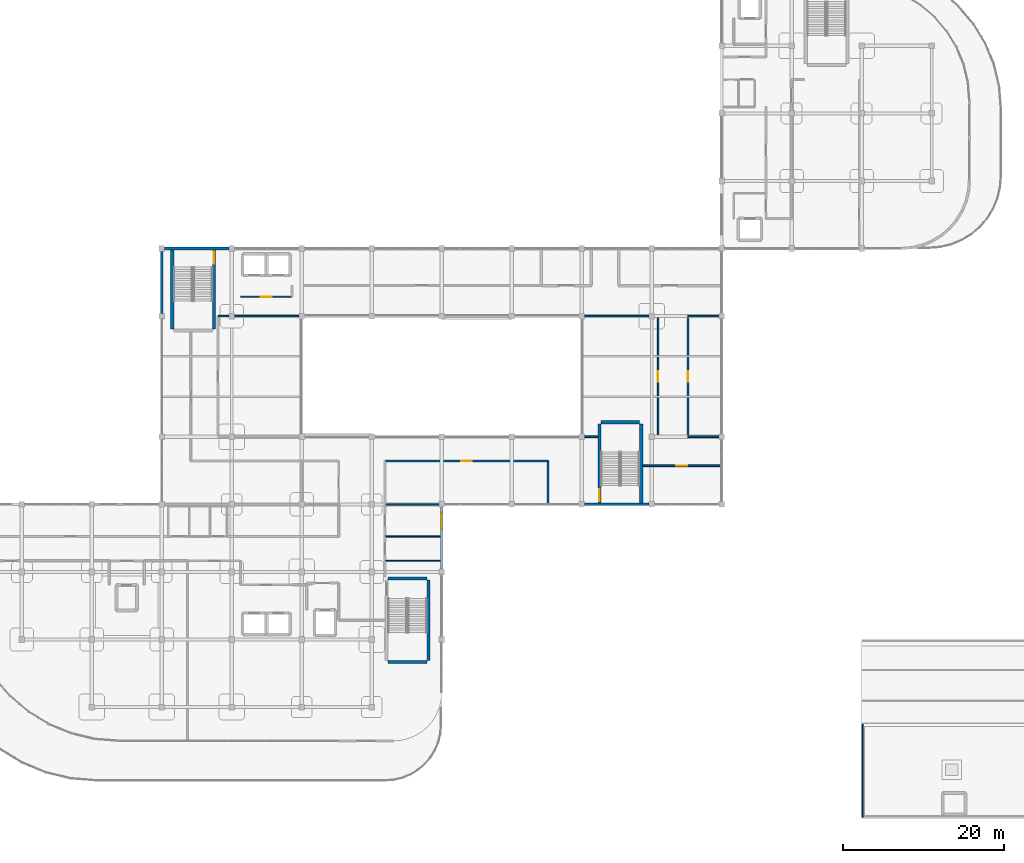
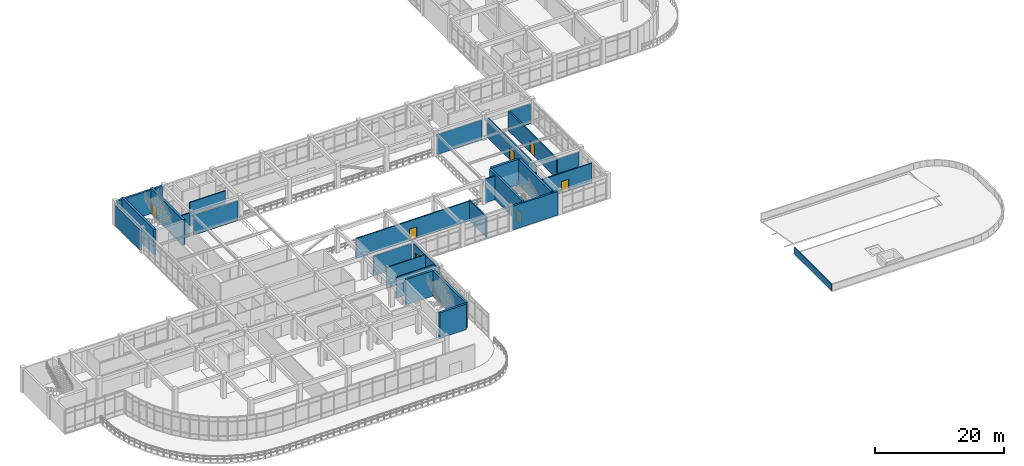
# One storey, part 62 of 76: 28 walls, 7 doors, 1 window, 8 openings.
"""IFC4 building model written with IfcOpenShell, lengths in metres."""

from ifc_helpers import new_model, si_unit, derived_unit, direction, frame, frame_2d, origin, place, context, subcontext, project, spatial, rectangle, extrude, material, layer, layer_set, type_object, element, fill, save


model = new_model("IFC4")

# Units and contexts
model_context = context("Model", 3, precision=1e-05, world=origin(), true_north=direction((0.0, 1.0)))
body_context = subcontext(model_context, "Body", "Model", "MODEL_VIEW")
ifc_project = project(units=[si_unit("LENGTHUNIT", "METRE"), si_unit("AREAUNIT", "SQUARE_METRE"), si_unit("VOLUMEUNIT", "CUBIC_METRE"), si_unit("PLANEANGLEUNIT", "RADIAN"), si_unit("MASSUNIT", "GRAM", prefix="KILO"), derived_unit("THERMALTRANSMITTANCEUNIT", [(si_unit("MASSUNIT", "GRAM", prefix="KILO"), 1), (si_unit("TIMEUNIT", "SECOND"), -3), (si_unit("THERMODYNAMICTEMPERATUREUNIT", "KELVIN"), -1)])], contexts=[model_context])

# Site, building, storey
site_placement = place(None, origin())
site = spatial("IfcSite", under=ifc_project, at=site_placement, CompositionType="ELEMENT")
building_placement = place(site_placement, origin())
building = spatial("IfcBuilding", under=site, at=building_placement, Name="Qinzheling Arcade Emporium", CompositionType="ELEMENT")
storey_placement = place(building_placement, frame((0.0, 0.0, 26.699951171875)))
storey = spatial("IfcBuildingStorey", under=building, at=storey_placement, Name="L06", CompositionType="ELEMENT", Elevation=26.699951171875)

# Wall, opening, door
ifc_material_1 = material(Name="Double-stud acoustic gypsum board partition")
ifc_layer_1 = layer(ifc_material_1, 0.215087890625, Name="Double-stud acoustic gypsum board partition")
ifc_layer_set_1 = layer_set([ifc_layer_1], Name="Double-stud acoustic gypsum board partition")
wall_type_1 = type_object("IfcWallType", Name="Acoustic Corridor Partition Wall 215", PredefinedType="PARTITIONING", material=ifc_layer_set_1)
wall_1_placement = place(storey_placement, frame((51.0, 67.800048828125, 0.0), z_axis=(0.0, 0.0, 1.0), x_axis=(-1.0, 0.0, 0.0)))
wall_1 = element("IfcWall", 1, at=wall_1_placement, inside=storey, type_object=wall_type_1, Name="Interior Wall WL-L06-INT-0800", PredefinedType="PARTITIONING", context=body_context, shape_type="SweptSolid", body=[
    extrude(rectangle(XDim=6.39990234375, YDim=0.215087890625, at=frame_2d((3.199951171875, 0.0))), origin(), (0.0, 0.0, 1.0), 4.4599609375),
])
opening_1_placement = place(wall_1_placement, frame((2.52490234375, 0.0, 0.0)))
opening_1 = element("IfcOpeningElement", 2, at=opening_1_placement, cuts=wall_1, Name="Opening FD05", PredefinedType="OPENING", context=body_context, shape_type="SweptSolid", body=[
    extrude(rectangle(XDim=1.35009765625, YDim=2.199951171875, at=frame_2d((0.675048828125, 1.10009765625))), frame((0.0, 0.11767578125, 0.0), z_axis=(0.0, -1.0, 0.0), x_axis=(1.0, 0.0, 0.0)), (0.0, 0.0, 1.0), 0.235107421875),
])
ifc_material_2 = material(Name="Class B fire-rated stainless-clad door")
door_type_1 = type_object("IfcDoorType", Name="Kitchen Fire-Rated Service Door 1350x2200", OperationType="NOTDEFINED", PredefinedType="DOOR", material=ifc_material_2)
door_1_placement = place(opening_1_placement, origin())
door_1 = element("IfcDoor", 3, at=door_1_placement, inside=storey, type_object=door_type_1, Name="FD05 Interior Door DR-L06-INT-0230", OperationType="SINGLE_SWING_RIGHT", OverallHeight=2.199951171875, OverallWidth=1.35009765625, PredefinedType="DOOR", context=body_context, shape_type="SweptSolid", body=[
    extrude(rectangle(XDim=1.35009765625, YDim=2.199951171875, at=frame_2d((0.675048828125, 1.10009765625))), frame((0.0, 0.02490234375, 0.0), z_axis=(0.0, -1.0, 0.0), x_axis=(1.0, 0.0, 0.0)), (0.0, 0.0, 1.0), 0.050048828125),
])
fill(opening_1, door_1)

# Walls
wall_2_placement = place(storey_placement, frame((51.840087890625, 65.39990234375, 0.0), z_axis=(0.0, 0.0, 1.0), x_axis=(-1.0, 0.0, 0.0)))
element("IfcWall", 4, at=wall_2_placement, inside=storey, type_object=wall_type_1, Name="Interior Wall WL-L06-INT-0843", PredefinedType="PARTITIONING", context=body_context, shape_type="SweptSolid", body=[
    extrude(rectangle(XDim=7.97998046875, YDim=0.215087890625, at=frame_2d((3.989990234375, 0.0))), origin(), (0.0, 0.0, 1.0), 3.760009765625),
])
wall_3_placement = place(storey_placement, frame((43.139892578125, 65.39990234375, 0.0), z_axis=(0.0, 0.0, 1.0), x_axis=(-1.0, 0.0, 0.0)))
element("IfcWall", 5, at=wall_3_placement, inside=storey, type_object=wall_type_1, Name="Interior Wall WL-L06-INT-0844", PredefinedType="PARTITIONING", context=body_context, shape_type="SweptSolid", body=[
    extrude(rectangle(XDim=1.33984375, YDim=0.215087890625, at=frame_2d((0.669921875, 0.0))), origin(), (0.0, 0.0, 1.0), 4.4599609375),
])

# Wall, opening, door
wall_4_placement = place(storey_placement, frame((104.300048828125, 46.800048828125, 0.0), z_axis=(0.0, 0.0, 1.0), x_axis=(-1.0, 0.0, 0.0)))
wall_4 = element("IfcWall", 6, at=wall_4_placement, inside=storey, type_object=wall_type_1, Name="Interior Wall WL-L06-INT-0848", PredefinedType="PARTITIONING", context=body_context, shape_type="SweptSolid", body=[
    extrude(rectangle(XDim=9.705078125, YDim=0.215087890625, at=frame_2d((4.8525390625, 0.0))), origin(), (0.0, 0.0, 1.0), 3.760009765625),
])
opening_2_placement = place(wall_4_placement, frame((4.177001953125, 0.0, 0.0)))
opening_2 = element("IfcOpeningElement", 7, at=opening_2_placement, cuts=wall_4, Name="Opening FD05", PredefinedType="OPENING", context=body_context, shape_type="SweptSolid", body=[
    extrude(rectangle(XDim=1.35009765625, YDim=2.199951171875, at=frame_2d((0.675048828125, 1.10009765625))), frame((0.0, 0.11767578125, 0.0), z_axis=(0.0, -1.0, 0.0), x_axis=(1.0, 0.0, 0.0)), (0.0, 0.0, 1.0), 0.235107421875),
])
door_2_placement = place(opening_2_placement, origin())
door_2 = element("IfcDoor", 8, at=door_2_placement, inside=storey, type_object=door_type_1, Name="FD05 Interior Door DR-L06-INT-0243", OperationType="SINGLE_SWING_LEFT", OverallHeight=2.199951171875, OverallWidth=1.35009765625, PredefinedType="DOOR", context=body_context, shape_type="SweptSolid", body=[
    extrude(rectangle(XDim=1.35009765625, YDim=2.199951171875, at=frame_2d((0.675048828125, 1.10009765625))), frame((0.0, 0.02490234375, 0.0), z_axis=(0.0, -1.0, 0.0), x_axis=(1.0, 0.0, 0.0)), (0.0, 0.0, 1.0), 0.050048828125),
])
fill(opening_2, door_2)

# Wall
wall_5_placement = place(storey_placement, frame((82.800048828125, 42.10009765625, 0.0), z_axis=(0.0, 0.0, 1.0), x_axis=(0.0, 1.0, 0.0)))
element("IfcWall", 9, at=wall_5_placement, inside=storey, type_object=wall_type_1, Name="Interior Wall WL-L06-INT-0849", PredefinedType="PARTITIONING", context=body_context, shape_type="SweptSolid", body=[
    extrude(rectangle(XDim=5.2998046875, YDim=0.215087890625, at=frame_2d((2.64990234375, 0.0))), origin(), (0.0, 0.0, 1.0), 3.9599609375),
])

# Wall, opening, door
wall_6_placement = place(storey_placement, frame((82.800048828125, 47.39990234375, 0.0), z_axis=(0.0, 0.0, 1.0), x_axis=(-1.0, 0.0, 0.0)))
wall_6 = element("IfcWall", 10, at=wall_6_placement, inside=storey, type_object=wall_type_1, Name="Interior Wall WL-L06-INT-0850", PredefinedType="PARTITIONING", context=body_context, shape_type="SweptSolid", body=[
    extrude(rectangle(XDim=20.25, YDim=0.215087890625, at=frame_2d((10.125, 0.0))), origin(), (0.0, 0.0, 1.0), 3.760009765625),
])
opening_3_placement = place(wall_6_placement, frame((9.449951171875, 0.0, 0.0)))
opening_3 = element("IfcOpeningElement", 11, at=opening_3_placement, cuts=wall_6, Name="Opening FD05", PredefinedType="OPENING", context=body_context, shape_type="SweptSolid", body=[
    extrude(rectangle(XDim=1.35009765625, YDim=2.199951171875, at=frame_2d((0.675048828125, 1.10009765625))), frame((0.0, 0.11767578125, 0.0), z_axis=(0.0, -1.0, 0.0), x_axis=(1.0, 0.0, 0.0)), (0.0, 0.0, 1.0), 0.235107421875),
])
door_3_placement = place(opening_3_placement, origin())
door_3 = element("IfcDoor", 12, at=door_3_placement, inside=storey, type_object=door_type_1, Name="FD05 Interior Door DR-L06-INT-0244", OperationType="SINGLE_SWING_RIGHT", OverallHeight=2.199951171875, OverallWidth=1.35009765625, PredefinedType="DOOR", context=body_context, shape_type="SweptSolid", body=[
    extrude(rectangle(XDim=1.35009765625, YDim=2.199951171875, at=frame_2d((0.675048828125, 1.10009765625))), frame((0.0, 0.02490234375, 0.0), z_axis=(0.0, -1.0, 0.0), x_axis=(1.0, 0.0, 0.0)), (0.0, 0.0, 1.0), 0.050048828125),
])
fill(opening_3, door_3)

# Wall
wall_7_placement = place(storey_placement, frame((104.0400390625, 65.39990234375, 0.0), z_axis=(0.0, 0.0, 1.0), x_axis=(-1.0, 0.0, 0.0)))
element("IfcWall", 13, at=wall_7_placement, inside=storey, type_object=wall_type_1, Name="Interior Wall WL-L06-INT-0859", PredefinedType="PARTITIONING", context=body_context, shape_type="SweptSolid", body=[
    extrude(rectangle(XDim=3.840087890625, YDim=0.215087890625, at=frame_2d((1.919921875, 0.0))), origin(), (0.0, 0.0, 1.0), 3.760009765625),
])

# Wall, opening, door
wall_8_placement = place(storey_placement, frame((100.199951171875, 65.39990234375, 0.0), z_axis=(0.0, 0.0, 1.0), x_axis=(0.0, -1.0, 0.0)))
wall_8 = element("IfcWall", 14, at=wall_8_placement, inside=storey, type_object=wall_type_1, Name="Interior Wall WL-L06-INT-0860", PredefinedType="PARTITIONING", context=body_context, shape_type="SweptSolid", body=[
    extrude(rectangle(XDim=15.0, YDim=0.215087890625, at=frame_2d((7.5, 0.0))), origin(), (0.0, 0.0, 1.0), 3.760009765625),
])
opening_4_placement = place(wall_8_placement, frame((6.824951171875, 0.0, 0.0)))
opening_4 = element("IfcOpeningElement", 15, at=opening_4_placement, cuts=wall_8, Name="Opening FD05", PredefinedType="OPENING", context=body_context, shape_type="SweptSolid", body=[
    extrude(rectangle(XDim=1.35009765625, YDim=2.199951171875, at=frame_2d((0.675048828125, 1.10009765625))), frame((0.0, 0.11767578125, 0.0), z_axis=(0.0, -1.0, 0.0), x_axis=(1.0, 0.0, 0.0)), (0.0, 0.0, 1.0), 0.235107421875),
])
door_4_placement = place(opening_4_placement, origin())
door_4 = element("IfcDoor", 16, at=door_4_placement, inside=storey, type_object=door_type_1, Name="FD05 Interior Door DR-L06-INT-0249", OperationType="SINGLE_SWING_LEFT", OverallHeight=2.199951171875, OverallWidth=1.35009765625, PredefinedType="DOOR", context=body_context, shape_type="SweptSolid", body=[
    extrude(rectangle(XDim=1.35009765625, YDim=2.199951171875, at=frame_2d((0.675048828125, 1.10009765625))), frame((0.0, 0.02490234375, 0.0), z_axis=(0.0, -1.0, 0.0), x_axis=(1.0, 0.0, 0.0)), (0.0, 0.0, 1.0), 0.050048828125),
])
fill(opening_4, door_4)

# Walls
wall_9_placement = place(storey_placement, frame((100.199951171875, 50.39990234375, 0.0), z_axis=(0.0, 0.0, 1.0), x_axis=(1.0, 0.0, 0.0)))
element("IfcWall", 17, at=wall_9_placement, inside=storey, type_object=wall_type_1, Name="Interior Wall WL-L06-INT-0861", PredefinedType="PARTITIONING", context=body_context, shape_type="SweptSolid", body=[
    extrude(rectangle(XDim=3.840087890625, YDim=0.215087890625, at=frame_2d((1.919921875, 0.0))), origin(), (0.0, 0.0, 1.0), 3.760009765625),
])
wall_10_placement = place(storey_placement, frame((87.360107421875, 50.39990234375, 0.0), z_axis=(0.0, 0.0, 1.0), x_axis=(1.0, 0.0, 0.0)))
element("IfcWall", 18, at=wall_10_placement, inside=storey, type_object=wall_type_1, Name="Interior Wall WL-L06-INT-0862", PredefinedType="PARTITIONING", context=body_context, shape_type="SweptSolid", body=[
    extrude(rectangle(XDim=1.635009765625, YDim=0.215087890625, at=frame_2d((0.8173828125, 0.0))), origin(), (0.0, 0.0, 1.0), 4.4599609375),
])

# Wall, opening, door
wall_11_placement = place(storey_placement, frame((96.5, 50.39990234375, 0.0), z_axis=(0.0, 0.0, 1.0), x_axis=(0.0, 1.0, 0.0)))
wall_11 = element("IfcWall", 19, at=wall_11_placement, inside=storey, type_object=wall_type_1, Name="Interior Wall WL-L06-INT-0863", PredefinedType="PARTITIONING", context=body_context, shape_type="SweptSolid", body=[
    extrude(rectangle(XDim=15.0, YDim=0.215087890625, at=frame_2d((7.5, 0.0))), origin(), (0.0, 0.0, 1.0), 3.760009765625),
])
opening_5_placement = place(wall_11_placement, frame((6.824951171875, 0.0, 0.0)))
opening_5 = element("IfcOpeningElement", 20, at=opening_5_placement, cuts=wall_11, Name="Opening FD05", PredefinedType="OPENING", context=body_context, shape_type="SweptSolid", body=[
    extrude(rectangle(XDim=1.35009765625, YDim=2.199951171875, at=frame_2d((0.675048828125, 1.10009765625))), frame((0.0, 0.11767578125, 0.0), z_axis=(0.0, -1.0, 0.0), x_axis=(1.0, 0.0, 0.0)), (0.0, 0.0, 1.0), 0.235107421875),
])
door_5_placement = place(opening_5_placement, origin())
door_5 = element("IfcDoor", 21, at=door_5_placement, inside=storey, type_object=door_type_1, Name="FD05 Interior Door DR-L06-INT-0250", OperationType="SINGLE_SWING_RIGHT", OverallHeight=2.199951171875, OverallWidth=1.35009765625, PredefinedType="DOOR", context=body_context, shape_type="SweptSolid", body=[
    extrude(rectangle(XDim=1.35009765625, YDim=2.199951171875, at=frame_2d((0.675048828125, 1.10009765625))), frame((0.0, 0.02490234375, 0.0), z_axis=(0.0, -1.0, 0.0), x_axis=(1.0, 0.0, 0.0)), (0.0, 0.0, 1.0), 0.050048828125),
])
fill(opening_5, door_5)

# Walls
wall_12_placement = place(storey_placement, frame((95.340087890625, 65.39990234375, 0.0), z_axis=(0.0, 0.0, 1.0), x_axis=(-1.0, 0.0, 0.0)))
element("IfcWall", 22, at=wall_12_placement, inside=storey, type_object=wall_type_1, Name="Interior Wall WL-L06-INT-0864", PredefinedType="PARTITIONING", context=body_context, shape_type="SweptSolid", body=[
    extrude(rectangle(XDim=7.97998046875, YDim=0.215087890625, at=frame_2d((3.989990234375, 0.0))), origin(), (0.0, 0.0, 1.0), 3.760009765625),
])
wall_13_placement = place(storey_placement, frame((62.550048828125, 42.0, 0.0), z_axis=(0.0, 0.0, 1.0), x_axis=(1.0, 0.0, 0.0)))
element("IfcWall", 23, at=wall_13_placement, inside=storey, type_object=wall_type_1, Name="Interior Wall WL-L06-INT-0866", PredefinedType="PARTITIONING", context=body_context, shape_type="SweptSolid", body=[
    extrude(rectangle(XDim=6.68994140625, YDim=0.215087890625, at=frame_2d((3.344970703125, 0.0))), origin(), (0.0, 0.0, 1.0), 3.760009765625),
])
ifc_material_3 = material(Name="Lightweight atelier partition")
ifc_layer_2 = layer(ifc_material_3, 0.14990234375, Name="Lightweight atelier partition")
ifc_layer_set_2 = layer_set([ifc_layer_2], Name="Lightweight atelier partition")
wall_type_2 = type_object("IfcWallType", Name="Atelier Partition Wall 150", PredefinedType="PARTITIONING", material=ifc_layer_set_2)
wall_14_placement = place(storey_placement, frame((69.43505859375, 38.0, 0.0), z_axis=(0.0, 0.0, 1.0), x_axis=(-1.0, 0.0, 0.0)))
element("IfcWall", 24, at=wall_14_placement, inside=storey, type_object=wall_type_2, Name="Interior Wall WL-L06-INT-0867", PredefinedType="PARTITIONING", context=body_context, shape_type="SweptSolid", body=[
    extrude(rectangle(XDim=6.885009765625, YDim=0.14990234375, at=frame_2d((3.4423828125, 0.0))), origin(), (0.0, 0.0, 1.0), 3.9599609375),
])
ifc_material_4 = material(Name="Glazed-transom steel-stud office partition", Category="steel")
ifc_layer_3 = layer(ifc_material_4, 0.135009765625, Name="Glazed-transom steel-stud office partition", Category="steel")
ifc_layer_set_3 = layer_set([ifc_layer_3], Name="Glazed-transom steel-stud office partition")
wall_type_3 = type_object("IfcWallType", Name="Buying Office Acoustic Partition Wall 135", PredefinedType="PARTITIONING", material=ifc_layer_set_3)
wall_15_placement = place(storey_placement, frame((62.550048828125, 35.0, 0.0), z_axis=(0.0, 0.0, 1.0), x_axis=(1.0, 0.0, 0.0)))
element("IfcWall", 25, at=wall_15_placement, inside=storey, type_object=wall_type_3, Name="Interior Wall WL-L06-INT-0872", PredefinedType="PARTITIONING", context=body_context, shape_type="SweptSolid", body=[
    extrude(rectangle(XDim=6.885009765625, YDim=0.135009765625, at=frame_2d((3.4423828125, 0.0))), origin(), (0.0, 0.0, 1.0), 3.9599609375),
])
ifc_material_5 = material(Name="Celadon glazed terracotta insulated spandrel", Category="masonry")
ifc_layer_4 = layer(ifc_material_5, 0.340087890625, Name="Celadon glazed terracotta insulated spandrel", Category="masonry")
ifc_layer_set_4 = layer_set([ifc_layer_4], Name="Celadon glazed terracotta insulated spandrel")
wall_type_4 = type_object("IfcWallType", Name="Celadon Spandrel Infill Wall 340", PredefinedType="STANDARD", material=ifc_layer_set_4)
wall_16_placement = place(storey_placement, frame((95.347900390625, 42.0, 0.0), z_axis=(0.0, 0.0, 1.0), x_axis=(-1.0, 0.0, 0.0)))
element("IfcWall", 26, at=wall_16_placement, inside=storey, type_object=wall_type_4, Name="Exterior Wall WL-L06-EW-0311", PredefinedType="STANDARD", context=body_context, shape_type="SweptSolid", body=[
    extrude(rectangle(XDim=7.995849609375, YDim=0.340087890625, at=frame_2d((3.998046875, 0.0))), origin(), (0.0, 0.0, 1.0), 4.489990234375),
])

# Wall, opening, window
ifc_material_6 = material(Name="Glazed cream terracotta insulated wall", Category="masonry")
ifc_layer_5 = layer(ifc_material_6, 0.320068359375, Name="Glazed cream terracotta insulated wall", Category="masonry")
ifc_layer_set_5 = layer_set([ifc_layer_5], Name="Glazed cream terracotta insulated wall")
wall_type_5 = type_object("IfcWallType", Name="Chicago Frame Infill Wall 320", PredefinedType="STANDARD", material=ifc_layer_set_5)
wall_17_placement = place(storey_placement, frame((69.60009765625, 41.64794921875, 0.0), z_axis=(0.0, 0.0, 1.0), x_axis=(0.0, -1.0, 0.0)))
wall_17 = element("IfcWall", 27, at=wall_17_placement, inside=storey, type_object=wall_type_5, Name="Exterior Wall WL-L06-EW-0312", PredefinedType="STANDARD", context=body_context, shape_type="SweptSolid", body=[
    extrude(rectangle(XDim=7.696044921875, YDim=0.320068359375, at=frame_2d((3.84814453125, 0.0))), origin(), (0.0, 0.0, 1.0), 3.955078125),
])
opening_6_placement = place(wall_17_placement, frame((0.7099609375, 0.0, 0.85009765625)))
opening_6 = element("IfcOpeningElement", 28, at=opening_6_placement, cuts=wall_17, Name="Opening WN61", PredefinedType="OPENING", context=body_context, shape_type="SweptSolid", body=[
    extrude(rectangle(XDim=2.0, YDim=1.64990234375, at=frame_2d((1.0, 0.824951171875))), frame((0.0, 0.169921875, 0.0), z_axis=(0.0, -1.0, 0.0), x_axis=(1.0, 0.0, 0.0)), (0.0, 0.0, 1.0), 0.340087890625),
])
ifc_material_7 = material(Name="Thermally broken aluminium frame with solar-control double glazing", Category="aluminium")
window_type = type_object("IfcWindowType", Name="Chicago Tripartite Window 2000x1650", PartitioningType="TRIPLE_PANEL_VERTICAL", PredefinedType="WINDOW", material=ifc_material_7)
window_placement = place(opening_6_placement, origin())
window = element("IfcWindow", 29, at=window_placement, inside=storey, type_object=window_type, Name="WN61 Window WN-L06-0078", OverallHeight=1.64990234375, OverallWidth=2.0, PartitioningType="TRIPLE_PANEL_VERTICAL", PredefinedType="WINDOW", context=body_context, shape_type="SweptSolid", body=[
    extrude(rectangle(XDim=2.0, YDim=1.64990234375, at=frame_2d((1.0, 0.824951171875))), frame((0.0, 0.030029296875, 0.0), z_axis=(0.0, -1.0, 0.0), x_axis=(1.0, 0.0, 0.0)), (0.0, 0.0, 1.0), 0.06005859375),
])
fill(opening_6, window)

# Walls
ifc_material_8 = material(Name="Fluted granite ashlar on Concrete C40", Category="masonry")
ifc_layer_6 = layer(ifc_material_8, 0.35009765625, Name="Fluted granite ashlar on Concrete C40", Category="masonry")
ifc_layer_set_6 = layer_set([ifc_layer_6], Name="Fluted granite ashlar on Concrete C40")
wall_type_6 = type_object("IfcWallType", Name="Fluted Granite Logistics Wall 350", PredefinedType="STANDARD", material=ifc_layer_set_6)
wall_18_placement = place(storey_placement, frame((35.152099609375, 73.800048828125, 0.0), z_axis=(0.0, 0.0, 1.0), x_axis=(1.0, 0.0, 0.0)))
element("IfcWall", 30, at=wall_18_placement, inside=storey, type_object=wall_type_6, Name="Exterior Wall WL-L06-EW-0310", PredefinedType="STANDARD", context=body_context, shape_type="SweptSolid", body=[
    extrude(rectangle(XDim=7.995849609375, YDim=0.35009765625, at=frame_2d((3.998046875, 0.0))), origin(), (0.0, 0.0, 1.0), 4.489990234375),
])
ifc_material_9 = material(Name="Concrete C50", Category="concrete")
ifc_layer_7 = layer(ifc_material_9, 0.39990234375, Name="Concrete C50", Category="concrete")
ifc_layer_set_7 = layer_set([ifc_layer_7], Name="Concrete C50")
wall_type_7 = type_object("IfcWallType", Name="RC Stair Core Shear Wall 400 C50", PredefinedType="SHEAR", material=ifc_layer_set_7)
wall_19_placement = place(storey_placement, frame((67.93994140625, 32.60009765625, 0.0), z_axis=(0.0, 0.0, 1.0), x_axis=(0.0, -1.0, 0.0)))
element("IfcWall", 31, at=wall_19_placement, inside=storey, type_object=wall_type_7, Name="Stair Core Wall WL-L06-ST01-EAST", PredefinedType="SHEAR", context=body_context, shape_type="SweptSolid", body=[
    extrude(rectangle(XDim=10.0, YDim=0.39990234375, at=frame_2d((5.0, 0.0))), origin(), (0.0, 0.0, 1.0), 4.800048828125),
])
for number, where, z_axis, x_axis, name in (
    (32, (67.739990234375, 22.39990234375, 0.0), (0.0, 0.0, 1.0), (-1.0, 0.0, 0.0), "Stair Core Wall WL-L06-ST01-SOUTH"),
    (33, (62.949951171875, 32.800048828125, 0.0), (0.0, 0.0, 1.0), (1.0, 0.0, 0.0), "Stair Core Wall WL-L06-ST01-NORTH"),
):
    element("IfcWall", number, at=place(storey_placement, frame(where, z_axis=z_axis, x_axis=x_axis)), inside=storey, type_object=wall_type_7, Name=name, PredefinedType="SHEAR", context=body_context, shape_type="SweptSolid", body=[
        extrude(rectangle(XDim=4.7900390625, YDim=0.39990234375, at=frame_2d((2.39501953125, 0.0))), origin(), (0.0, 0.0, 1.0), 4.800048828125),
    ])
wall_20_placement = place(storey_placement, frame((36.10009765625, 63.800048828125, 0.0), z_axis=(0.0, 0.0, 1.0), x_axis=(0.0, 1.0, 0.0)))
element("IfcWall", 34, at=wall_20_placement, inside=storey, type_object=wall_type_7, Name="Stair Core Wall WL-L06-ST03-WEST", PredefinedType="SHEAR", context=body_context, shape_type="SweptSolid", body=[
    extrude(rectangle(XDim=10.0, YDim=0.39990234375, at=frame_2d((5.0, 0.0))), origin(), (0.0, 0.0, 1.0), 4.800048828125),
])

# Wall, opening, door
wall_21_placement = place(storey_placement, frame((41.2900390625, 73.800048828125, 0.0), z_axis=(0.0, 0.0, 1.0), x_axis=(0.0, -1.0, 0.0)))
wall_21 = element("IfcWall", 35, at=wall_21_placement, inside=storey, type_object=wall_type_7, Name="Stair Core Wall WL-L06-ST03-EAST", PredefinedType="SHEAR", context=body_context, shape_type="SweptSolid", body=[
    extrude(rectangle(XDim=10.0, YDim=0.39990234375, at=frame_2d((5.0, 0.0))), origin(), (0.0, 0.0, 1.0), 4.800048828125),
])
opening_7_placement = place(wall_21_placement, frame((0.409912109375, 0.0, 0.0)))
opening_7 = element("IfcOpeningElement", 36, at=opening_7_placement, cuts=wall_21, Name="Opening FD01", PredefinedType="OPENING", context=body_context, shape_type="SweptSolid", body=[
    extrude(rectangle(XDim=1.5, YDim=2.199951171875, at=frame_2d((0.75, 1.10009765625))), frame((0.0, 0.2099609375, 0.0), z_axis=(0.0, -1.0, 0.0), x_axis=(1.0, 0.0, 0.0)), (0.0, 0.0, 1.0), 0.419921875),
])
ifc_material_10 = material(Name="Class A fire-rated steel double door", Category="steel")
door_type_2 = type_object("IfcDoorType", Name="Stairwell Smoke-Proof Fire Door 1500x2200", OperationType="DOUBLE_DOOR_SINGLE_SWING", PredefinedType="DOOR", material=ifc_material_10)
door_6_placement = place(opening_7_placement, origin())
door_6 = element("IfcDoor", 37, at=door_6_placement, inside=storey, type_object=door_type_2, Name="FD01 Stairwell Fire Door DR-L06-ST03-FD", OperationType="DOUBLE_DOOR_SINGLE_SWING", OverallHeight=2.199951171875, OverallWidth=1.5, PredefinedType="DOOR", context=body_context, shape_type="SweptSolid", body=[
    extrude(rectangle(XDim=1.5, YDim=2.199951171875, at=frame_2d((0.75, 1.10009765625))), frame((0.0, 0.02490234375, 0.0), z_axis=(0.0, -1.0, 0.0), x_axis=(1.0, 0.0, 0.0)), (0.0, 0.0, 1.0), 0.050048828125),
])
fill(opening_7, door_6)

wall_22_placement = place(storey_placement, frame((89.199951171875, 42.0, 0.0), z_axis=(0.0, 0.0, 1.0), x_axis=(0.0, 1.0, 0.0)))
wall_22 = element("IfcWall", 38, at=wall_22_placement, inside=storey, type_object=wall_type_7, Name="Stair Core Wall WL-L06-ST04-WEST", PredefinedType="SHEAR", context=body_context, shape_type="SweptSolid", body=[
    extrude(rectangle(XDim=10.0, YDim=0.39990234375, at=frame_2d((5.0, 0.0))), origin(), (0.0, 0.0, 1.0), 4.800048828125),
])
opening_8_placement = place(wall_22_placement, frame((0.409912109375, 0.0, 0.0)))
opening_8 = element("IfcOpeningElement", 39, at=opening_8_placement, cuts=wall_22, Name="Opening FD01", PredefinedType="OPENING", context=body_context, shape_type="SweptSolid", body=[
    extrude(rectangle(XDim=1.5, YDim=2.199951171875, at=frame_2d((0.75, 1.10009765625))), frame((0.0, 0.2099609375, 0.0), z_axis=(0.0, -1.0, 0.0), x_axis=(1.0, 0.0, 0.0)), (0.0, 0.0, 1.0), 0.419921875),
])
door_7_placement = place(opening_8_placement, origin())
door_7 = element("IfcDoor", 40, at=door_7_placement, inside=storey, type_object=door_type_2, Name="FD01 Stairwell Fire Door DR-L06-ST04-FD", OperationType="DOUBLE_DOOR_SINGLE_SWING", OverallHeight=2.199951171875, OverallWidth=1.5, PredefinedType="DOOR", context=body_context, shape_type="SweptSolid", body=[
    extrude(rectangle(XDim=1.5, YDim=2.199951171875, at=frame_2d((0.75, 1.10009765625))), frame((0.0, 0.02490234375, 0.0), z_axis=(0.0, -1.0, 0.0), x_axis=(1.0, 0.0, 0.0)), (0.0, 0.0, 1.0), 0.050048828125),
])
fill(opening_8, door_7)

# Walls
wall_23_placement = place(storey_placement, frame((94.389892578125, 52.0, 0.0), z_axis=(0.0, 0.0, 1.0), x_axis=(0.0, -1.0, 0.0)))
element("IfcWall", 41, at=wall_23_placement, inside=storey, type_object=wall_type_7, Name="Stair Core Wall WL-L06-ST04-EAST", PredefinedType="SHEAR", context=body_context, shape_type="SweptSolid", body=[
    extrude(rectangle(XDim=10.0, YDim=0.39990234375, at=frame_2d((5.0, 0.0))), origin(), (0.0, 0.0, 1.0), 4.800048828125),
])
wall_24_placement = place(storey_placement, frame((89.39990234375, 52.199951171875, 0.0), z_axis=(0.0, 0.0, 1.0), x_axis=(1.0, 0.0, 0.0)))
element("IfcWall", 42, at=wall_24_placement, inside=storey, type_object=wall_type_7, Name="Stair Core Wall WL-L06-ST04-NORTH", PredefinedType="SHEAR", context=body_context, shape_type="SweptSolid", body=[
    extrude(rectangle(XDim=4.7900390625, YDim=0.39990234375, at=frame_2d((2.39501953125, 0.0))), origin(), (0.0, 0.0, 1.0), 4.800048828125),
])
ifc_layer_8 = layer(ifc_material_6, 0.300048828125, Name="Glazed cream terracotta insulated wall", Category="masonry")
ifc_layer_set_8 = layer_set([ifc_layer_8], Name="Glazed cream terracotta insulated wall")
wall_type_8 = type_object("IfcWallType", Name="Terrace Facade Infill Wall 300", PredefinedType="STANDARD", material=ifc_layer_set_8)
wall_25_placement = place(storey_placement, frame((34.800048828125, 65.751953125, 0.0), z_axis=(0.0, 0.0, 1.0), x_axis=(0.0, 1.0, 0.0)))
element("IfcWall", 43, at=wall_25_placement, inside=storey, type_object=wall_type_8, Name="Exterior Wall WL-L06-EW-0309", PredefinedType="STANDARD", context=body_context, shape_type="SweptSolid", body=[
    extrude(rectangle(XDim=7.696044921875, YDim=0.300048828125, at=frame_2d((3.84814453125, 0.0))), origin(), (0.0, 0.0, 1.0), 3.955078125),
])
ifc_material_11 = material(Name="Precast concrete C40 with terracotta coping", Category="masonry")
ifc_layer_9 = layer(ifc_material_11, 0.219970703125, Name="Precast concrete C40 with terracotta coping", Category="masonry")
ifc_layer_set_9 = layer_set([ifc_layer_9], Name="Precast concrete C40 with terracotta coping")
wall_type_9 = type_object("IfcWallType", Name="Terracotta Coping Roof Parapet 220", PredefinedType="PARAPET", material=ifc_layer_set_9)
wall_26_placement = place(storey_placement, frame((121.909912109375, 3.110107421875, 0.0), z_axis=(0.0, 0.0, 1.0), x_axis=(0.0, 1.0, 0.0)))
element("IfcWall", 44, at=wall_26_placement, inside=storey, type_object=wall_type_9, Name="Roof Parapet WL-L06-PW-058", PredefinedType="PARAPET", context=body_context, shape_type="SweptSolid", body=[
    extrude(rectangle(XDim=11.52978515625, YDim=0.219970703125, at=frame_2d((5.764892578125, 0.0))), origin(), (0.0, 0.0, 1.0), 1.150146484375),
])

save(model, "model.ifc")
